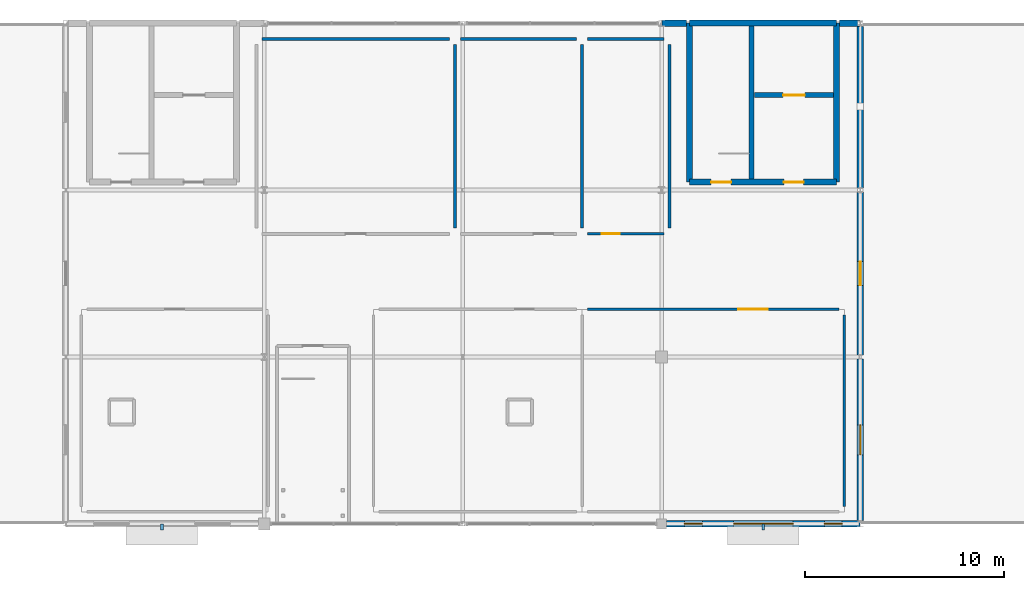
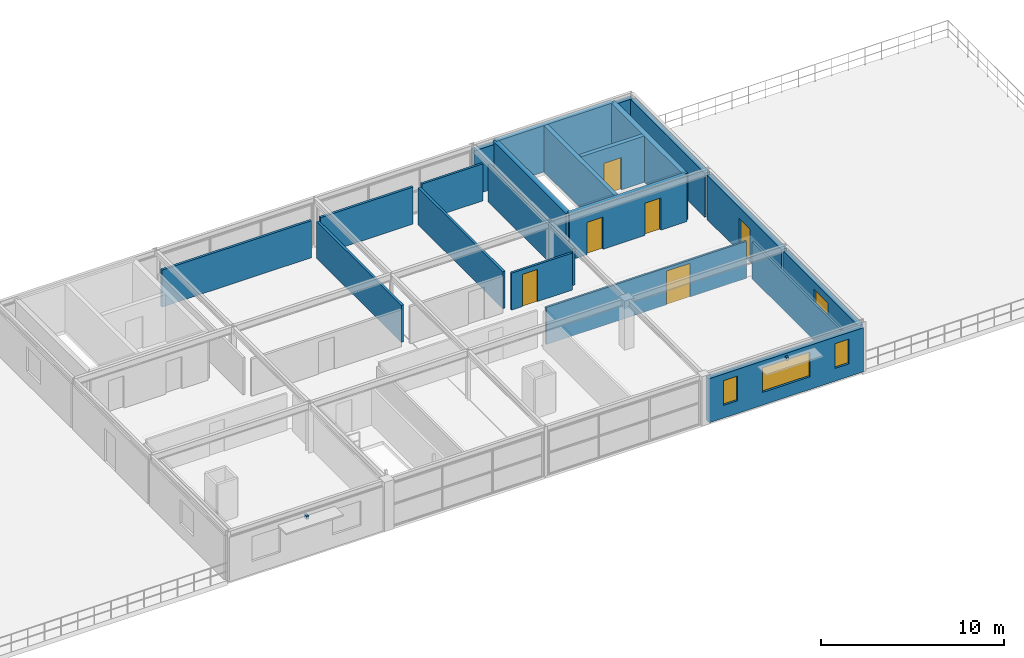
# One storey, part 11 of 12: 21 walls, 6 doors, 4 windows, 2 discrete accessories, 10 openings.
"""IFC4 building model written with IfcOpenShell, lengths in metres."""

import ifcopenshell
import ifcopenshell.guid

model = None  # the IFC model being written
_history = None  # IfcOwnerHistory: only IFC2X3 demands one
_inside = {}  # id of a spatial element -> (the spatial element, [elements in it])
_under = {}  # id of a project, library or spatial element -> (it, [spatial elements below it])
_declared = {}  # id of a project -> (the project, [libraries it declares])
_typed = {}  # id of a type object -> (the type object, [elements of that type])
_made_of = {}  # id of a material, layer set ... -> (it, [elements and type objects made of it])


def new_model(schema):
    """Start an empty IFC model of exactly this schema.

    Asked for "IFC4X3", IfcOpenShell would pick the latest addendum, in which some entities
    have other attributes; the version numbers below select the first issue.
    IFC2X3 requires an IfcOwnerHistory on every rooted entity: one is made here for all.
    """
    global model, _history
    if schema == "IFC4X3":
        model = ifcopenshell.file(schema_version=(4, 3, 0, 0))
    else:
        model = ifcopenshell.file(schema=schema)
    _inside.clear()
    _under.clear()
    _declared.clear()
    _typed.clear()
    _made_of.clear()
    _history = None
    if model.schema == "IFC2X3":
        org = make("IfcOrganization", Name="unknown")
        user = make(
            "IfcPersonAndOrganization",
            ThePerson=make("IfcPerson", FamilyName="unknown"),
            TheOrganization=org,
        )
        app = make(
            "IfcApplication",
            ApplicationDeveloper=org,
            Version="unknown",
            ApplicationFullName="unknown",
            ApplicationIdentifier="unknown",
        )
        _history = make(
            "IfcOwnerHistory",
            OwningUser=user,
            OwningApplication=app,
            ChangeAction="ADDED",
            CreationDate=0,
        )
    return model


def make(cls, **values):
    """One entity of the class cls with the attributes given. An attribute that is None is left unset."""
    return model.create_entity(
        cls, **{name: value for name, value in values.items() if value is not None}
    )


def rooted(cls, **values):
    """An entity with a GlobalId (a new one), such as an element, a storey or a relation."""
    return make(cls, GlobalId=ifcopenshell.guid.new(), OwnerHistory=_history, **values)


def si_unit(unit_type, name, prefix=None):
    """IfcSIUnit, for example si_unit("LENGTHUNIT", "METRE", prefix="MILLI")."""
    return make("IfcSIUnit", UnitType=unit_type, Prefix=prefix, Name=name)


def derived_unit(unit_type, elements):
    """IfcDerivedUnit: a product of units, each with its exponent."""
    return make(
        "IfcDerivedUnit",
        Elements=[
            make("IfcDerivedUnitElement", Unit=unit, Exponent=power)
            for unit, power in elements
        ],
        UnitType=unit_type,
    )


def assignment(units):
    """IfcUnitAssignment: the units of a project."""
    return None if units is None else make("IfcUnitAssignment", Units=units)


def point(xyz):
    """IfcCartesianPoint."""
    return None if xyz is None else make("IfcCartesianPoint", Coordinates=xyz)


def direction(xyz):
    """IfcDirection."""
    return None if xyz is None else make("IfcDirection", DirectionRatios=xyz)


def frame(location, z_axis=None, x_axis=None):
    """IfcAxis2Placement3D, a coordinate frame: its origin and axes. An axis left out is left unset."""
    return make(
        "IfcAxis2Placement3D",
        Location=point(location),
        Axis=direction(z_axis),
        RefDirection=direction(x_axis),
    )


def frame_2d(location, x_axis=None):
    """IfcAxis2Placement2D, a coordinate frame in the plane: its origin and x axis."""
    return make(
        "IfcAxis2Placement2D", Location=point(location), RefDirection=direction(x_axis)
    )


def origin():
    """The frame at (0, 0, 0) with its axes left unset."""
    return frame((0.0, 0.0, 0.0))


def origin_2d_with_axis():
    """The frame at (0, 0) in the plane with the x axis (1, 0) written out."""
    return frame_2d((0.0, 0.0), x_axis=(1.0, 0.0))


def place(relative_to, where):
    """IfcLocalPlacement: puts the frame where relative to a parent placement (None: the world)."""
    return make(
        "IfcLocalPlacement", PlacementRelTo=relative_to, RelativePlacement=where
    )


def context(
    kind, dimensions, precision=None, world=None, true_north=None, identifier=None
):
    """IfcGeometricRepresentationContext, for example the 3D "Model" context."""
    return make(
        "IfcGeometricRepresentationContext",
        ContextIdentifier=identifier,
        ContextType=kind,
        CoordinateSpaceDimension=dimensions,
        Precision=precision,
        WorldCoordinateSystem=world,
        TrueNorth=true_north,
    )


def subcontext(parent, identifier, kind, view, scale=None):
    """IfcGeometricRepresentationSubContext, for example "Body" below "Model"."""
    return make(
        "IfcGeometricRepresentationSubContext",
        ContextIdentifier=identifier,
        ContextType=kind,
        ParentContext=parent,
        TargetScale=scale,
        TargetView=view,
    )


def project(units=None, contexts=None):
    """IfcProject with its units and contexts."""
    return rooted(
        "IfcProject",
        Name="project",
        RepresentationContexts=contexts,
        UnitsInContext=assignment(units),
    )


def spatial(cls, under=None, at=None, **own):
    """A site, building, storey or space (cls), placed at a placement, below another one or the project."""
    s = rooted(cls, ObjectPlacement=at, **own)
    if under is not None:
        _under.setdefault(under.id(), (under, []))[1].append(s)
    return s


def profile(cls, at=None, kind="AREA", **sizes):
    """A parametric profile (cls). Its sizes go by their IFC names, for example OverallWidth=200.0."""
    return make(cls, ProfileType=kind, Position=at, **sizes)


def rectangle(**sizes):
    """IfcRectangleProfileDef."""
    return profile("IfcRectangleProfileDef", **sizes)


def extrude(swept, where, along, depth):
    """IfcExtrudedAreaSolid: the profile swept, set in the frame where, extruded along a direction by depth."""
    return make(
        "IfcExtrudedAreaSolid",
        SweptArea=swept,
        Position=where,
        ExtrudedDirection=direction(along),
        Depth=depth,
    )


def shape(context_of_items, identifier, shape_type, items):
    """IfcShapeRepresentation: the items that make up one representation, for example the "Body"."""
    return make(
        "IfcShapeRepresentation",
        ContextOfItems=context_of_items,
        RepresentationIdentifier=identifier,
        RepresentationType=shape_type,
        Items=items,
    )


def material(Name=None, Category=None):
    """IfcMaterial."""
    return make("IfcMaterial", Name=Name, Category=Category)


def layer(
    of_material, thickness, ventilated=None, Name=None, Category=None, Priority=None
):
    """IfcMaterialLayer: one layer of a wall or slab, of a material (None: an air gap)."""
    return make(
        "IfcMaterialLayer",
        Material=of_material,
        LayerThickness=thickness,
        IsVentilated=ventilated,
        Name=Name,
        Category=Category,
        Priority=Priority,
    )


def layer_set(layers, Name=None):
    """IfcMaterialLayerSet."""
    return make("IfcMaterialLayerSet", MaterialLayers=layers, LayerSetName=Name)


def made_of(thing, what):
    """Note that an element or type object is made of a material, layer set ...; save() writes the relation."""
    if what is not None:
        _made_of.setdefault(what.id(), (what, []))[1].append(thing)
    return thing


def type_object(cls, material=None, **own):
    """A type object (cls), such as IfcWallType, which elements share."""
    return made_of(rooted(cls, **own), material)


def element(
    cls,
    number,
    at=None,
    inside=None,
    cuts=None,
    type_object=None,
    material=None,
    context=None,
    identifier="Body",
    shape_type=None,
    held_by="IfcProductDefinitionShape",
    body=None,
    shapes=None,
    **own,
):
    """One element of the class cls, such as IfcWall. Its Tag is "e" and its number.

    at: its placement. inside: the storey or other place that contains it. cuts: it is an
    opening in that element (IfcRelVoidsElement). A single representation is given by context,
    identifier, shape_type and body (its items); several are given by shapes. held_by: the class
    of the entity that holds the representations. save() writes the other relations.
    """
    e = rooted(cls, Tag="e%d" % number, ObjectPlacement=at, **own)
    if body is not None:
        shapes = [shape(context, identifier, shape_type, body)]
    if shapes is not None:
        e.Representation = make(held_by, Representations=shapes)
    if inside is not None:
        _inside.setdefault(inside.id(), (inside, []))[1].append(e)
    if cuts is not None:
        rooted(
            "IfcRelVoidsElement", RelatingBuildingElement=cuts, RelatedOpeningElement=e
        )
    if type_object is not None:
        _typed.setdefault(type_object.id(), (type_object, []))[1].append(e)
    return made_of(e, material)


def fill(opening, filler):
    """IfcRelFillsElement: the door or window that sits in an opening."""
    return rooted(
        "IfcRelFillsElement",
        RelatingOpeningElement=opening,
        RelatedBuildingElement=filler,
    )


def aggregate(whole, parts):
    """IfcRelAggregates: a whole, such as a stair, and the parts it consists of."""
    return rooted("IfcRelAggregates", RelatingObject=whole, RelatedObjects=parts)


def save(model, path):
    """Write the relations noted so far, then the file.

    IfcRelAggregates (storeys below a building ...), IfcRelContainedInSpatialStructure (elements
    in a storey), IfcRelDefinesByType, IfcRelAssociatesMaterial and IfcRelDeclares: one each for
    every whole, place, type object, material and project.
    """
    for whole, parts in _under.values():
        aggregate(whole, parts)
    for where, things in _inside.values():
        rooted(
            "IfcRelContainedInSpatialStructure",
            RelatedElements=things,
            RelatingStructure=where,
        )
    for kind, things in _typed.values():
        rooted("IfcRelDefinesByType", RelatedObjects=things, RelatingType=kind)
    for what, things in _made_of.values():
        rooted("IfcRelAssociatesMaterial", RelatedObjects=things, RelatingMaterial=what)
    for by, libraries in _declared.values():
        rooted("IfcRelDeclares", RelatingContext=by, RelatedDefinitions=libraries)
    model.write(path)


model = new_model("IFC4")

# Units and contexts
model_context = context("Model", 3, precision=1e-05, world=origin(), true_north=direction((0.0, 1.0)))
body_context = subcontext(model_context, "Body", "Model", "MODEL_VIEW")
ifc_project = project(units=[si_unit("LENGTHUNIT", "METRE"), si_unit("AREAUNIT", "SQUARE_METRE"), si_unit("VOLUMEUNIT", "CUBIC_METRE"), si_unit("PLANEANGLEUNIT", "RADIAN"), si_unit("MASSUNIT", "GRAM", prefix="KILO"), derived_unit("THERMALTRANSMITTANCEUNIT", [(si_unit("POWERUNIT", "WATT"), 1), (si_unit("LENGTHUNIT", "METRE"), -2), (si_unit("THERMODYNAMICTEMPERATUREUNIT", "KELVIN"), -1)])], contexts=[model_context])

# Site, building, storey
site_placement = place(None, origin())
site = spatial("IfcSite", under=ifc_project, at=site_placement, CompositionType="ELEMENT")
building_placement = place(site_placement, origin())
building = spatial("IfcBuilding", under=site, at=building_placement, Name="Cinnabar Yard Market Hall", CompositionType="ELEMENT")
storey_placement = place(building_placement, frame((0.0, 0.0, 15.300048828125)))
storey = spatial("IfcBuildingStorey", under=building, at=storey_placement, Name="L04", CompositionType="ELEMENT", Elevation=15.300048828125)

# Wall
ifc_material_1 = material(Name="Acoustic steel-stud plasterboard", Category="steel")
ifc_layer_1 = layer(ifc_material_1, 0.1201171875)
ifc_layer_set_1 = layer_set([ifc_layer_1], Name="Acoustic steel-stud plasterboard")
wall_type_1 = type_object("IfcWallType", Name="WL-PT120", PredefinedType="PARTITIONING", material=ifc_layer_set_1)
wall_1_placement = place(storey_placement, frame((135.199951171875, 113.679931640625, 0.0), z_axis=(0.0, 0.0, 1.0), x_axis=(0.0, 1.0, 0.0)))
element("IfcWall", 1, at=wall_1_placement, inside=storey, type_object=wall_type_1, Name="Partition Traders Cooperative Assembly Hall east", PredefinedType="PARTITIONING", context=body_context, shape_type="SweptSolid", body=[
    extrude(rectangle(XDim=9.64013671875, YDim=0.1201171875, at=frame_2d((4.820068359375, 0.0), x_axis=(1.0, 0.0))), origin(), (0.0, 0.0, 1.0), 2.469970703125),
])

# Wall, opening, door
wall_2_placement = place(storey_placement, frame((134.919921875, 123.60009765625, 0.0), z_axis=(0.0, 0.0, 1.0), x_axis=(-1.0, 0.0, 0.0)))
wall_2 = element("IfcWall", 2, at=wall_2_placement, inside=storey, type_object=wall_type_1, Name="Partition Traders Cooperative Assembly Hall north", PredefinedType="PARTITIONING", context=body_context, shape_type="SweptSolid", body=[
    extrude(rectangle(XDim=12.639892578125, YDim=0.1201171875, at=frame_2d((6.31982421875, 0.0), x_axis=(1.0, 0.0))), origin(), (0.0, 0.0, 1.0), 2.469970703125),
])
opening_1_placement = place(wall_2_placement, frame((3.564697265625, 0.0, 0.0)))
opening_1 = element("IfcOpeningElement", 3, at=opening_1_placement, cuts=wall_2, Name="Opening ID-186", PredefinedType="OPENING", context=body_context, shape_type="SweptSolid", body=[
    extrude(rectangle(XDim=1.5, YDim=2.25, at=frame_2d((0.75, 1.125), x_axis=(1.0, 0.0))), frame((0.0, 0.070068359375, 0.0), z_axis=(0.0, -1.0, 0.0), x_axis=(1.0, 0.0, 0.0)), (0.0, 0.0, 1.0), 0.14013671875),
])
ifc_material_2 = material(Name="Spotted gum timber and vision glass", Category="wood")
door_type_1 = type_object("IfcDoorType", Name="DR-D08", OperationType="NOTDEFINED", PredefinedType="DOOR", material=ifc_material_2)
door_1_placement = place(opening_1_placement, origin())
door_1 = element("IfcDoor", 4, at=door_1_placement, inside=storey, type_object=door_type_1, Name="Interior Door ID-186", OperationType="DOUBLE_SWING_LEFT", OverallHeight=2.25, OverallWidth=1.5, PredefinedType="DOOR", context=body_context, shape_type="SweptSolid", body=[
    extrude(rectangle(XDim=1.5, YDim=2.25, at=frame_2d((0.75, 1.125), x_axis=(1.0, 0.0))), frame((0.0, 0.02490234375, 0.0), z_axis=(0.0, -1.0, 0.0), x_axis=(1.0, 0.0, 0.0)), (0.0, 0.0, 1.0), 0.050048828125),
])
fill(opening_1, door_1)

ifc_material_3 = material(Name="Moisture-resistant tiled service wall")
ifc_layer_2 = layer(ifc_material_3, 0.139892578125)
ifc_layer_set_2 = layer_set([ifc_layer_2], Name="Moisture-resistant tiled service wall")
wall_type_2 = type_object("IfcWallType", Name="WL-PT140", PredefinedType="PLUMBINGWALL", material=ifc_layer_set_2)
wall_3_placement = place(storey_placement, frame((122.280029296875, 127.39990234375, 0.0), z_axis=(0.0, 0.0, 1.0), x_axis=(1.0, 0.0, 0.0)))
wall_3 = element("IfcWall", 5, at=wall_3_placement, inside=storey, type_object=wall_type_2, Name="Partition L04 Staff and Accessible WC south", PredefinedType="PLUMBINGWALL", context=body_context, shape_type="SweptSolid", body=[
    extrude(rectangle(XDim=3.840087890625, YDim=0.139892578125, at=frame_2d((1.919921875, 0.0), x_axis=(1.0, 0.0))), origin(), (0.0, 0.0, 1.0), 2.469970703125),
])
opening_2_placement = place(wall_3_placement, frame((0.70068359375, 0.0, 0.0)))
opening_2 = element("IfcOpeningElement", 6, at=opening_2_placement, cuts=wall_3, Name="Opening ID-189", PredefinedType="OPENING", context=body_context, shape_type="SweptSolid", body=[
    extrude(rectangle(XDim=0.919921875, YDim=2.14990234375, at=frame_2d((0.4599609375, 1.074951171875), x_axis=(1.0, 0.0))), frame((0.0, 0.079833984375, 0.0), z_axis=(0.0, -1.0, 0.0), x_axis=(1.0, 0.0, 0.0)), (0.0, 0.0, 1.0), 0.159912109375),
])
ifc_material_4 = material(Name="Solid-core spotted gum timber", Category="wood")
door_type_2 = type_object("IfcDoorType", Name="DR-D07", OperationType="NOTDEFINED", PredefinedType="DOOR", material=ifc_material_4)
door_2_placement = place(opening_2_placement, origin())
door_2 = element("IfcDoor", 7, at=door_2_placement, inside=storey, type_object=door_type_2, Name="Interior Door ID-189", OperationType="SINGLE_SWING_RIGHT", OverallHeight=2.14990234375, OverallWidth=0.919921875, PredefinedType="DOOR", context=body_context, shape_type="SweptSolid", body=[
    extrude(rectangle(XDim=0.919921875, YDim=2.14990234375, at=frame_2d((0.4599609375, 1.074951171875), x_axis=(1.0, 0.0))), frame((0.0, 0.02490234375, 0.0), z_axis=(0.0, -1.0, 0.0), x_axis=(1.0, 0.0, 0.0)), (0.0, 0.0, 1.0), 0.050048828125),
])
fill(opening_2, door_2)

# Walls
wall_4_placement = place(storey_placement, frame((126.39990234375, 127.679931640625, 0.0), z_axis=(0.0, 0.0, 1.0), x_axis=(0.0, 1.0, 0.0)))
element("IfcWall", 8, at=wall_4_placement, inside=storey, type_object=wall_type_2, Name="Partition L04 Staff and Accessible WC east", PredefinedType="PLUMBINGWALL", context=body_context, shape_type="SweptSolid", body=[
    extrude(rectangle(XDim=9.239990234375, YDim=0.139892578125, at=frame_2d((4.6201171875, 0.0), x_axis=(1.0, 0.0))), origin(), (0.0, 0.0, 1.0), 2.469970703125),
])
wall_5_placement = place(storey_placement, frame((126.1201171875, 137.199951171875, 0.0), z_axis=(0.0, 0.0, 1.0), x_axis=(-1.0, 0.0, 0.0)))
element("IfcWall", 9, at=wall_5_placement, inside=storey, type_object=wall_type_2, Name="Partition L04 Staff and Accessible WC north", PredefinedType="PLUMBINGWALL", context=body_context, shape_type="SweptSolid", body=[
    extrude(rectangle(XDim=3.840087890625, YDim=0.139892578125, at=frame_2d((1.919921875, 0.0), x_axis=(1.0, 0.0))), origin(), (0.0, 0.0, 1.0), 2.469970703125),
])
ifc_material_5 = material(Name="Fire-rated steel-stud plasterboard", Category="steel")
ifc_layer_3 = layer(ifc_material_5, 0.14990234375)
ifc_layer_set_3 = layer_set([ifc_layer_3], Name="Fire-rated steel-stud plasterboard")
wall_type_3 = type_object("IfcWallType", Name="WL-PT150", PredefinedType="PARTITIONING", material=ifc_layer_set_3)
wall_6_placement = place(storey_placement, frame((115.60009765625, 127.679931640625, 0.0), z_axis=(0.0, 0.0, 1.0), x_axis=(0.0, 1.0, 0.0)))
element("IfcWall", 10, at=wall_6_placement, inside=storey, type_object=wall_type_3, Name="Partition Market Weights, Measures and Archive Store east", PredefinedType="PARTITIONING", context=body_context, shape_type="SweptSolid", body=[
    extrude(rectangle(XDim=9.239990234375, YDim=0.14990234375, at=frame_2d((4.6201171875, 0.0), x_axis=(1.0, 0.0))), origin(), (0.0, 0.0, 1.0), 2.469970703125),
])
wall_7_placement = place(storey_placement, frame((115.320068359375, 137.199951171875, 0.0), z_axis=(0.0, 0.0, 1.0), x_axis=(-1.0, 0.0, 0.0)))
element("IfcWall", 11, at=wall_7_placement, inside=storey, type_object=wall_type_3, Name="Partition Market Weights, Measures and Archive Store north", PredefinedType="PARTITIONING", context=body_context, shape_type="SweptSolid", body=[
    extrude(rectangle(XDim=9.440185546875, YDim=0.14990234375, at=frame_2d((4.72021484375, 0.0), x_axis=(1.0, 0.0))), origin(), (0.0, 0.0, 1.0), 2.469970703125),
])
wall_8_placement = place(storey_placement, frame((122.0, 127.679931640625, 0.0), z_axis=(0.0, 0.0, 1.0), x_axis=(0.0, 1.0, 0.0)))
element("IfcWall", 12, at=wall_8_placement, inside=storey, type_object=wall_type_3, Name="Partition Belvedere Heat-Pump and AHU Plant Room east", PredefinedType="PARTITIONING", context=body_context, shape_type="SweptSolid", body=[
    extrude(rectangle(XDim=9.239990234375, YDim=0.14990234375, at=frame_2d((4.6201171875, 0.0), x_axis=(1.0, 0.0))), origin(), (0.0, 0.0, 1.0), 2.469970703125),
])
wall_9_placement = place(storey_placement, frame((121.719970703125, 137.199951171875, 0.0), z_axis=(0.0, 0.0, 1.0), x_axis=(-1.0, 0.0, 0.0)))
element("IfcWall", 13, at=wall_9_placement, inside=storey, type_object=wall_type_3, Name="Partition Belvedere Heat-Pump and AHU Plant Room north", PredefinedType="PARTITIONING", context=body_context, shape_type="SweptSolid", body=[
    extrude(rectangle(XDim=5.840087890625, YDim=0.14990234375, at=frame_2d((2.919921875, 0.0), x_axis=(1.0, 0.0))), origin(), (0.0, 0.0, 1.0), 2.469970703125),
])
ifc_material_6 = material(Name="Concrete 40 MPa", Category="concrete")
ifc_layer_4 = layer(ifc_material_6, 0.300048828125)
ifc_layer_set_4 = layer_set([ifc_layer_4], Name="Concrete 40 MPa")
wall_type_4 = type_object("IfcWallType", Name="WL-W-CORE", PredefinedType="SHEAR", material=ifc_layer_set_4)
for number, where, z_axis, x_axis, name in (
    (14, (127.39990234375, 138.0, 0.0), (0.0, 0.0, 1.0), (0.0, -1.0, 0.0), "Core C6 West Shear Wall L04"),
    (15, (134.800048828125, 130.0, 0.0), (0.0, 0.0, 1.0), (0.0, 1.0, 0.0), "Core C6 East Shear Wall L04"),
):
    element("IfcWall", number, at=place(storey_placement, frame(where, z_axis=z_axis, x_axis=x_axis)), inside=storey, type_object=wall_type_4, Name=name, PredefinedType="SHEAR", context=body_context, shape_type="SweptSolid", body=[
        extrude(rectangle(XDim=8.0, YDim=0.300048828125, at=frame_2d((4.0, 0.0), x_axis=(1.0, 0.0))), origin(), (0.0, 0.0, 1.0), 3.08984375),
    ])

# Wall, openings, doors
wall_10_placement = place(storey_placement, frame((127.39990234375, 130.0, 0.0), z_axis=(0.0, 0.0, 1.0), x_axis=(1.0, 0.0, 0.0)))
wall_10 = element("IfcWall", 16, at=wall_10_placement, inside=storey, type_object=wall_type_4, Name="Core C6 South Shear Wall L04", PredefinedType="SHEAR", context=body_context, shape_type="SweptSolid", body=[
    extrude(rectangle(XDim=7.400146484375, YDim=0.300048828125, at=frame_2d((3.7001953125, 0.0), x_axis=(1.0, 0.0))), origin(), (0.0, 0.0, 1.0), 3.08984375),
])
opening_3_placement = place(wall_10_placement, frame((1.10009765625, 0.0, 0.0)))
opening_3 = element("IfcOpeningElement", 17, at=opening_3_placement, cuts=wall_10, Name="Opening CD-051", PredefinedType="OPENING", context=body_context, shape_type="SweptSolid", body=[
    extrude(rectangle(XDim=1.0, YDim=2.14990234375, at=frame_2d((0.5, 1.074951171875), x_axis=(1.0, 0.0))), frame((0.0, 0.159912109375, 0.0), z_axis=(0.0, -1.0, 0.0), x_axis=(1.0, 0.0, 0.0)), (0.0, 0.0, 1.0), 0.320068359375),
])
opening_4_placement = place(wall_10_placement, frame((4.75, 0.0, 0.0)))
opening_4 = element("IfcOpeningElement", 18, at=opening_4_placement, cuts=wall_10, Name="Opening CD-052", PredefinedType="OPENING", context=body_context, shape_type="SweptSolid", body=[
    extrude(rectangle(XDim=1.0, YDim=2.14990234375, at=frame_2d((0.5, 1.074951171875), x_axis=(1.0, 0.0))), frame((0.0, 0.159912109375, 0.0), z_axis=(0.0, -1.0, 0.0), x_axis=(1.0, 0.0, 0.0)), (0.0, 0.0, 1.0), 0.320068359375),
])
door_type_3 = type_object("IfcDoorType", Name="DR-D05", OperationType="NOTDEFINED", PredefinedType="DOOR", material=ifc_material_4)
door_3_placement = place(opening_3_placement, origin())
door_3 = element("IfcDoor", 19, at=door_3_placement, inside=storey, type_object=door_type_3, Name="Core Door CD-051", OperationType="SINGLE_SWING_RIGHT", OverallHeight=2.14990234375, OverallWidth=1.0, PredefinedType="DOOR", context=body_context, shape_type="SweptSolid", body=[
    extrude(rectangle(XDim=1.0, YDim=2.14990234375, at=frame_2d((0.5, 1.074951171875), x_axis=(1.0, 0.0))), frame((0.0, 0.02490234375, 0.0), z_axis=(0.0, -1.0, 0.0), x_axis=(1.0, 0.0, 0.0)), (0.0, 0.0, 1.0), 0.050048828125),
])
fill(opening_3, door_3)
door_4_placement = place(opening_4_placement, origin())
door_4 = element("IfcDoor", 20, at=door_4_placement, inside=storey, type_object=door_type_3, Name="Core Door CD-052", OperationType="SINGLE_SWING_LEFT", OverallHeight=2.14990234375, OverallWidth=1.0, PredefinedType="DOOR", context=body_context, shape_type="SweptSolid", body=[
    extrude(rectangle(XDim=1.0, YDim=2.14990234375, at=frame_2d((0.5, 1.074951171875), x_axis=(1.0, 0.0))), frame((0.0, 0.02490234375, 0.0), z_axis=(0.0, -1.0, 0.0), x_axis=(1.0, 0.0, 0.0)), (0.0, 0.0, 1.0), 0.050048828125),
])
fill(opening_4, door_4)

# Wall
wall_11_placement = place(storey_placement, frame((134.800048828125, 138.0, 0.0), z_axis=(0.0, 0.0, 1.0), x_axis=(-1.0, 0.0, 0.0)))
element("IfcWall", 21, at=wall_11_placement, inside=storey, type_object=wall_type_4, Name="Core C6 North Shear Wall L04", PredefinedType="SHEAR", context=body_context, shape_type="SweptSolid", body=[
    extrude(rectangle(XDim=7.400146484375, YDim=0.300048828125, at=frame_2d((3.7001953125, 0.0), x_axis=(1.0, 0.0))), origin(), (0.0, 0.0, 1.0), 3.08984375),
])

# Wall, openings, windows
ifc_material_7 = material(Name="Cream limestone and Concrete 32 MPa", Category="masonry")
ifc_layer_5 = layer(ifc_material_7, 0.320068359375)
ifc_layer_set_5 = layer_set([ifc_layer_5], Name="Cream limestone and Concrete 32 MPa")
wall_type_5 = type_object("IfcWallType", Name="WL-W-EXT2", PredefinedType="SOLIDWALL", material=ifc_layer_set_5)
wall_12_placement = place(storey_placement, frame((126.25390625, 112.800048828125, 0.0), z_axis=(0.0, 0.0, 1.0), x_axis=(1.0, 0.0, 0.0)))
wall_12 = element("IfcWall", 22, at=wall_12_placement, inside=storey, type_object=wall_type_5, Name="Wing South Wall L04 Bay 4", PredefinedType="SOLIDWALL", context=body_context, shape_type="SweptSolid", body=[
    extrude(rectangle(XDim=9.736083984375, YDim=0.320068359375, at=frame_2d((4.8681640625, 0.0), x_axis=(1.0, 0.0))), origin(), (0.0, 0.0, 1.0), 2.93994140625),
])
opening_5_placement = place(wall_12_placement, frame((3.367919921875, 0.0, 0.85009765625)))
opening_5 = element("IfcOpeningElement", 23, at=opening_5_placement, cuts=wall_12, Name="Opening W13", PredefinedType="OPENING", context=body_context, shape_type="SweptSolid", body=[
    extrude(rectangle(XDim=3.0, YDim=1.64990234375, at=frame_2d((1.5, 0.824951171875), x_axis=(1.0, 0.0))), frame((0.0, 0.169921875, 0.0), z_axis=(0.0, -1.0, 0.0), x_axis=(1.0, 0.0, 0.0)), (0.0, 0.0, 1.0), 0.340087890625),
])
opening_6_placement = place(wall_12_placement, frame((0.89990234375, 0.0, 0.85009765625)))
opening_6 = element("IfcOpeningElement", 24, at=opening_6_placement, cuts=wall_12, Name="Opening W14", PredefinedType="OPENING", context=body_context, shape_type="SweptSolid", body=[
    extrude(rectangle(XDim=0.89990234375, YDim=1.64990234375, at=frame_2d((0.449951171875, 0.824951171875), x_axis=(1.0, 0.0))), frame((0.0, 0.169921875, 0.0), z_axis=(0.0, -1.0, 0.0), x_axis=(1.0, 0.0, 0.0)), (0.0, 0.0, 1.0), 0.340087890625),
])
opening_7_placement = place(wall_12_placement, frame((7.93603515625, 0.0, 0.85009765625)))
opening_7 = element("IfcOpeningElement", 25, at=opening_7_placement, cuts=wall_12, Name="Opening W14", PredefinedType="OPENING", context=body_context, shape_type="SweptSolid", body=[
    extrude(rectangle(XDim=0.89990234375, YDim=1.64990234375, at=frame_2d((0.449951171875, 0.824951171875), x_axis=(1.0, 0.0))), frame((0.0, 0.169921875, 0.0), z_axis=(0.0, -1.0, 0.0), x_axis=(1.0, 0.0, 0.0)), (0.0, 0.0, 1.0), 0.340087890625),
])
ifc_material_8 = material(Name="Upper Masterclass solar-control glazing", Category="glass")
window_type_1 = type_object("IfcWindowType", Name="WN-W13", PartitioningType="SINGLE_PANEL", PredefinedType="WINDOW", material=ifc_material_8)
window_1_placement = place(opening_5_placement, origin())
window_1 = element("IfcWindow", 26, at=window_1_placement, inside=storey, type_object=window_type_1, Name="Window WN-V3S-L04-4M", OverallHeight=1.64990234375, OverallWidth=3.0, PartitioningType="SINGLE_PANEL", PredefinedType="WINDOW", context=body_context, shape_type="SweptSolid", body=[
    extrude(rectangle(XDim=3.0, YDim=1.64990234375, at=frame_2d((1.5, 0.824951171875), x_axis=(1.0, 0.0))), frame((0.0, 0.030029296875, 0.0), z_axis=(0.0, -1.0, 0.0), x_axis=(1.0, 0.0, 0.0)), (0.0, 0.0, 1.0), 0.06005859375),
])
fill(opening_5, window_1)
ifc_material_9 = material(Name="Upper Belvedere lancet glazing", Category="glass")
window_type_2 = type_object("IfcWindowType", Name="WN-W14", PartitioningType="SINGLE_PANEL", PredefinedType="WINDOW", material=ifc_material_9)
window_2_placement = place(opening_6_placement, origin())
window_2 = element("IfcWindow", 27, at=window_2_placement, inside=storey, type_object=window_type_2, Name="Window WN-V3S-L04-4L", OverallHeight=1.64990234375, OverallWidth=0.89990234375, PartitioningType="SINGLE_PANEL", PredefinedType="WINDOW", context=body_context, shape_type="SweptSolid", body=[
    extrude(rectangle(XDim=0.89990234375, YDim=1.64990234375, at=frame_2d((0.449951171875, 0.824951171875), x_axis=(1.0, 0.0))), frame((0.0, 0.030029296875, 0.0), z_axis=(0.0, -1.0, 0.0), x_axis=(1.0, 0.0, 0.0)), (0.0, 0.0, 1.0), 0.06005859375),
])
fill(opening_6, window_2)
window_3_placement = place(opening_7_placement, origin())
window_3 = element("IfcWindow", 28, at=window_3_placement, inside=storey, type_object=window_type_2, Name="Window WN-V3S-L04-4R", OverallHeight=1.64990234375, OverallWidth=0.89990234375, PartitioningType="SINGLE_PANEL", PredefinedType="WINDOW", context=body_context, shape_type="SweptSolid", body=[
    extrude(rectangle(XDim=0.89990234375, YDim=1.64990234375, at=frame_2d((0.449951171875, 0.824951171875), x_axis=(1.0, 0.0))), frame((0.0, 0.030029296875, 0.0), z_axis=(0.0, -1.0, 0.0), x_axis=(1.0, 0.0, 0.0)), (0.0, 0.0, 1.0), 0.06005859375),
])
fill(opening_7, window_3)

# Walls
wall_13_placement = place(storey_placement, frame((127.25, 138.0, 0.0), z_axis=(0.0, 0.0, 1.0), x_axis=(-1.0, 0.0, 0.0)))
element("IfcWall", 29, at=wall_13_placement, inside=storey, type_object=wall_type_5, Name="Wing North Flank L04 Bay 4W", PredefinedType="SOLIDWALL", context=body_context, shape_type="SweptSolid", body=[
    extrude(rectangle(XDim=1.239013671875, YDim=0.320068359375, at=frame_2d((0.61962890625, 0.0), x_axis=(1.0, 0.0))), origin(), (0.0, 0.0, 1.0), 2.93994140625),
])
wall_14_placement = place(storey_placement, frame((135.989990234375, 138.0, 0.0), z_axis=(0.0, 0.0, 1.0), x_axis=(-1.0, 0.0, 0.0)))
element("IfcWall", 30, at=wall_14_placement, inside=storey, type_object=wall_type_5, Name="Wing North Flank L04 Bay 4E", PredefinedType="SOLIDWALL", context=body_context, shape_type="SweptSolid", body=[
    extrude(rectangle(XDim=1.0400390625, YDim=0.320068359375, at=frame_2d((0.52001953125, 0.0), x_axis=(1.0, 0.0))), origin(), (0.0, 0.0, 1.0), 2.93994140625),
])

# Wall, opening, window
wall_15_placement = place(storey_placement, frame((136.0, 112.9580078125, 0.0), z_axis=(0.0, 0.0, 1.0), x_axis=(0.0, 1.0, 0.0)))
wall_15 = element("IfcWall", 31, at=wall_15_placement, inside=storey, type_object=wall_type_5, Name="Wing East End Wall L04 Seg 1", PredefinedType="SOLIDWALL", context=body_context, shape_type="SweptSolid", body=[
    extrude(rectangle(XDim=8.13623046875, YDim=0.320068359375, at=frame_2d((4.068115234375, 0.0), x_axis=(1.0, 0.0))), origin(), (0.0, 0.0, 1.0), 2.93994140625),
])
opening_8_placement = place(wall_15_placement, frame((3.318115234375, 0.0, 0.85009765625)))
opening_8 = element("IfcOpeningElement", 32, at=opening_8_placement, cuts=wall_15, Name="Opening W03", PredefinedType="OPENING", context=body_context, shape_type="SweptSolid", body=[
    extrude(rectangle(XDim=1.5, YDim=1.60009765625, at=frame_2d((0.75, 0.800048828125), x_axis=(1.0, 0.0))), frame((0.0, 0.169921875, 0.0), z_axis=(0.0, -1.0, 0.0), x_axis=(1.0, 0.0, 0.0)), (0.0, 0.0, 1.0), 0.340087890625),
])
ifc_material_10 = material(Name="Low-E double glazing in bronze aluminium", Category="aluminium")
window_type_3 = type_object("IfcWindowType", Name="WN-W03", PartitioningType="SINGLE_PANEL", PredefinedType="WINDOW", material=ifc_material_10)
window_4_placement = place(opening_8_placement, origin())
window_4 = element("IfcWindow", 33, at=window_4_placement, inside=storey, type_object=window_type_3, Name="Window WN-V3E-L04-1", OverallHeight=1.60009765625, OverallWidth=1.5, PartitioningType="SINGLE_PANEL", PredefinedType="WINDOW", context=body_context, shape_type="SweptSolid", body=[
    extrude(rectangle(XDim=1.5, YDim=1.60009765625, at=frame_2d((0.75, 0.800048828125), x_axis=(1.0, 0.0))), frame((0.0, 0.030029296875, 0.0), z_axis=(0.0, -1.0, 0.0), x_axis=(1.0, 0.0, 0.0)), (0.0, 0.0, 1.0), 0.06005859375),
])
fill(opening_8, window_4)

# Wall, opening, door
wall_16_placement = place(storey_placement, frame((136.0, 121.3056640625, 0.0), z_axis=(0.0, 0.0, 1.0), x_axis=(0.0, 1.0, 0.0)))
wall_16 = element("IfcWall", 34, at=wall_16_placement, inside=storey, type_object=wall_type_5, Name="Wing East End Wall L04 Seg 2", PredefinedType="SOLIDWALL", context=body_context, shape_type="SweptSolid", body=[
    extrude(rectangle(XDim=8.185546875, YDim=0.320068359375, at=frame_2d((4.0927734375, 0.0), x_axis=(1.0, 0.0))), origin(), (0.0, 0.0, 1.0), 2.93994140625),
])
opening_9_placement = place(wall_16_placement, frame((3.49267578125, 0.0, 0.0)))
opening_9 = element("IfcOpeningElement", 35, at=opening_9_placement, cuts=wall_16, Name="Opening ED-042", PredefinedType="OPENING", context=body_context, shape_type="SweptSolid", body=[
    extrude(rectangle(XDim=1.199951171875, YDim=2.199951171875, at=frame_2d((0.60009765625, 1.10009765625), x_axis=(1.0, 0.0))), frame((0.0, 0.169921875, 0.0), z_axis=(0.0, -1.0, 0.0), x_axis=(1.0, 0.0, 0.0)), (0.0, 0.0, 1.0), 0.340087890625),
])
ifc_material_11 = material(Name="Anodised bronze aluminium and laminated glass", Category="aluminium")
door_type_4 = type_object("IfcDoorType", Name="DR-D04", OperationType="NOTDEFINED", PredefinedType="DOOR", material=ifc_material_11)
door_5_placement = place(opening_9_placement, origin())
door_5 = element("IfcDoor", 36, at=door_5_placement, inside=storey, type_object=door_type_4, Name="Door ED-042", OperationType="SINGLE_SWING_RIGHT", OverallHeight=2.199951171875, OverallWidth=1.199951171875, PredefinedType="DOOR", context=body_context, shape_type="SweptSolid", body=[
    extrude(rectangle(XDim=1.199951171875, YDim=2.199951171875, at=frame_2d((0.60009765625, 1.10009765625), x_axis=(1.0, 0.0))), frame((0.0, 0.02490234375, 0.0), z_axis=(0.0, -1.0, 0.0), x_axis=(1.0, 0.0, 0.0)), (0.0, 0.0, 1.0), 0.050048828125),
])
fill(opening_9, door_5)

# Walls
wall_17_placement = place(storey_placement, frame((136.0, 129.708984375, 0.0), z_axis=(0.0, 0.0, 1.0), x_axis=(0.0, 1.0, 0.0)))
element("IfcWall", 37, at=wall_17_placement, inside=storey, type_object=wall_type_5, Name="Wing East End Wall L04 Seg 3", PredefinedType="SOLIDWALL", context=body_context, shape_type="SweptSolid", body=[
    extrude(rectangle(XDim=8.135986328125, YDim=0.320068359375, at=frame_2d((4.06787109375, 0.0), x_axis=(1.0, 0.0))), origin(), (0.0, 0.0, 1.0), 2.93994140625),
])
ifc_layer_6 = layer(ifc_material_6, 0.25)
ifc_layer_set_6 = layer_set([ifc_layer_6], Name="Concrete 40 MPa")
wall_type_6 = type_object("IfcWallType", Name="WL-W-SHAFT", PredefinedType="SHEAR", material=ifc_layer_set_6)
wall_18_placement = place(storey_placement, frame((130.514892578125, 130.14990234375, 0.0), z_axis=(0.0, 0.0, 1.0), x_axis=(0.0, 1.0, 0.0)))
element("IfcWall", 38, at=wall_18_placement, inside=storey, type_object=wall_type_6, Name="Core C6 Shaft Divider L04", PredefinedType="SHEAR", context=body_context, shape_type="SweptSolid", body=[
    extrude(rectangle(XDim=7.7001953125, YDim=0.25, at=frame_2d((3.85009765625, 0.0), x_axis=(1.0, 0.0))), origin(), (0.0, 0.0, 1.0), 3.08984375),
])

# Wall, opening, door
wall_19_placement = place(storey_placement, frame((130.679931640625, 134.3798828125, 0.0), z_axis=(0.0, 0.0, 1.0), x_axis=(1.0, 0.0, 0.0)))
wall_19 = element("IfcWall", 39, at=wall_19_placement, inside=storey, type_object=wall_type_6, Name="Core C6 Lift Front Wall L04", PredefinedType="SHEAR", context=body_context, shape_type="SweptSolid", body=[
    extrude(rectangle(XDim=3.969970703125, YDim=0.25, at=frame_2d((1.98486328125, 0.0), x_axis=(1.0, 0.0))), origin(), (0.0, 0.0, 1.0), 3.08984375),
])
opening_10_placement = place(wall_19_placement, frame((1.43505859375, 0.0, 0.0)))
opening_10 = element("IfcOpeningElement", 40, at=opening_10_placement, cuts=wall_19, Name="Opening LD-LP-04-L04", PredefinedType="OPENING", context=body_context, shape_type="SweptSolid", body=[
    extrude(rectangle(XDim=1.10009765625, YDim=2.14990234375, at=frame_2d((0.550048828125, 1.074951171875), x_axis=(1.0, 0.0))), frame((0.0, 0.135009765625, 0.0), z_axis=(0.0, -1.0, 0.0), x_axis=(1.0, 0.0, 0.0)), (0.0, 0.0, 1.0), 0.27001953125),
])
ifc_material_12 = material(Name="Brushed stainless steel landing door", Category="steel")
door_type_5 = type_object("IfcDoorType", Name="DR-LD01", OperationType="NOTDEFINED", PredefinedType="DOOR", material=ifc_material_12)
door_6_placement = place(opening_10_placement, origin())
door_6 = element("IfcDoor", 41, at=door_6_placement, inside=storey, type_object=door_type_5, Name="Lift Landing Door LD-LP-04-L04", OperationType="SLIDING_TO_LEFT", OverallHeight=2.14990234375, OverallWidth=1.10009765625, PredefinedType="DOOR", context=body_context, shape_type="SweptSolid", body=[
    extrude(rectangle(XDim=1.10009765625, YDim=2.14990234375, at=frame_2d((0.550048828125, 1.074951171875), x_axis=(1.0, 0.0))), frame((0.0, 0.02490234375, 0.0), z_axis=(0.0, -1.0, 0.0), x_axis=(1.0, 0.0, 0.0)), (0.0, 0.0, 1.0), 0.050048828125),
])
fill(opening_10, door_6)

# Discrete accessories
ifc_material_13 = material(Name="Galvanised steel Grade 350 (350 MPa)", Category="steel")
discrete_accessory_type = type_object("IfcDiscreteAccessoryType", Name="ACC-BRK1", PredefinedType="BRACKET", material=ifc_material_13)
for number, where, z_axis, x_axis, name in (
    (42, (100.85302734375, 112.639892578125, 2.5498046875), (0.0, 0.0, 1.0), (1.0, 0.0, 0.0), "Chhajja Bracket V3S-L04-1"),
    (43, (131.1220703125, 112.639892578125, 2.5498046875), (0.0, 0.0, 1.0), (1.0, 0.0, 0.0), "Chhajja Bracket V3S-L04-4"),
):
    element("IfcDiscreteAccessory", number, at=place(storey_placement, frame(where, z_axis=z_axis, x_axis=x_axis)), inside=storey, type_object=discrete_accessory_type, Name=name, PredefinedType="BRACKET", context=body_context, shape_type="SweptSolid", body=[
        extrude(rectangle(XDim=0.139892578125, YDim=0.280029296875, at=origin_2d_with_axis()), origin(), (0.0, 0.0, 1.0), 0.219970703125),
    ])

save(model, "model.ifc")
